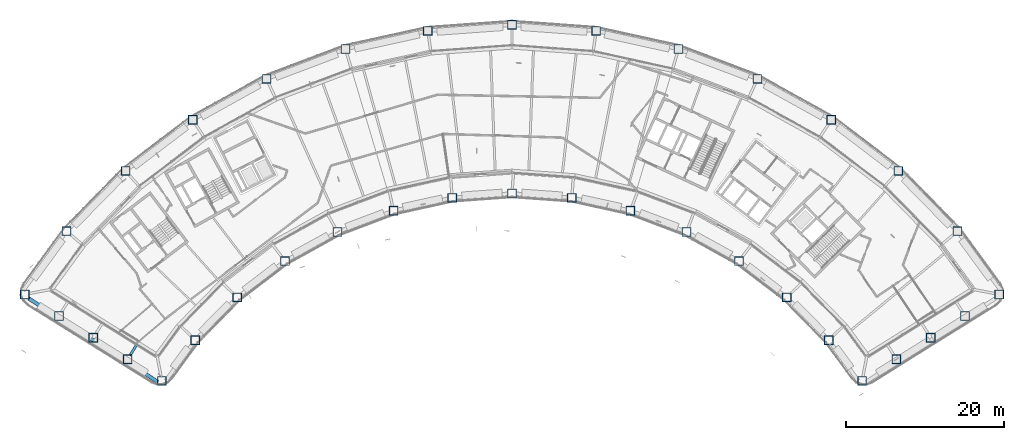
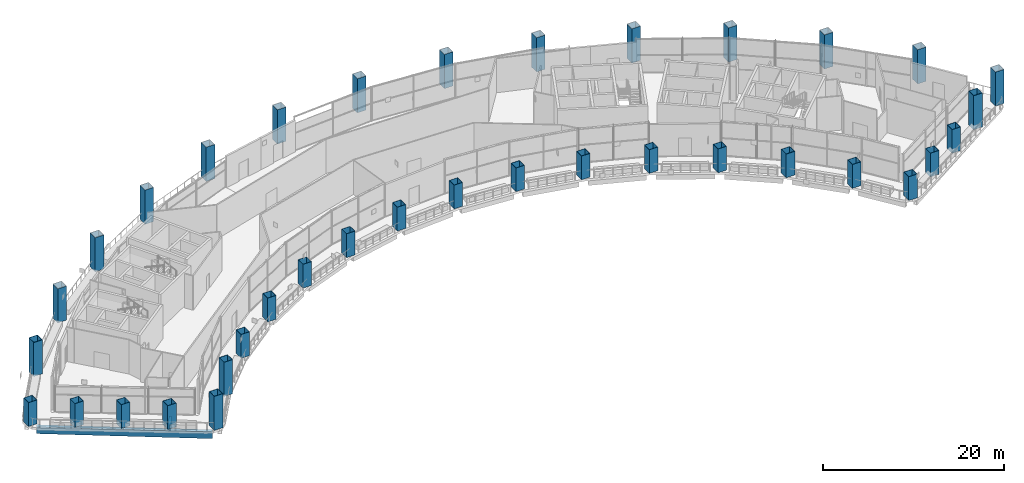
# One storey, part 1 of 28: 36 columns, 2 beams.
"""IFC4 building model written with IfcOpenShell, lengths in metres."""

from ifc_helpers import new_model, si_unit, direction, frame, origin, origin_2d, place, context, subcontext, project, spatial, hollow_rectangle, i_section, extrude, material, material_profile, profile_set, type_object, element, save


model = new_model("IFC4")

# Units and contexts
model_context = context("Model", 3, precision=1e-05, world=origin(), true_north=direction((0.0, 1.0)))
body_context = subcontext(model_context, "Body", "Model", "MODEL_VIEW")
ifc_project = project(units=[si_unit("LENGTHUNIT", "METRE"), si_unit("AREAUNIT", "SQUARE_METRE"), si_unit("VOLUMEUNIT", "CUBIC_METRE"), si_unit("PLANEANGLEUNIT", "RADIAN"), si_unit("MASSUNIT", "GRAM", prefix="KILO")], contexts=[model_context])

# Site, building, storey
site_placement = place(None, origin())
site = spatial("IfcSite", under=ifc_project, at=site_placement, CompositionType="ELEMENT")
building_placement = place(site_placement, origin())
building = spatial("IfcBuilding", under=site, at=building_placement, Name="Tuul Gate Civic Tower", CompositionType="ELEMENT")
storey_placement = place(building_placement, frame((0.0, 0.0, 128.699951171875)))
storey = spatial("IfcBuildingStorey", under=building, at=storey_placement, Name="Sky garden level 1", CompositionType="ELEMENT", Elevation=128.699951171875)

# Columns
ifc_material_1 = material(Name="Steel S355", Category="steel")
ifc_material_profile_1 = material_profile(ifc_material_1, hollow_rectangle(XDim=1.10009765625, YDim=1.10009765625, WallThickness=0.035888671875, at=origin_2d()), Name="BOX1100x1100x36")
ifc_profile_set_1 = profile_set([ifc_material_profile_1], Name="Steel S355")
column_type = type_object("IfcColumnType", Name="STR-EXO COLUMN-BOX1100x1100x36", PredefinedType="COLUMN", material=ifc_profile_set_1)
for number, where, z_axis, x_axis, name in (
    (1, (71.5, -20.44189453125, 0.0), (0.0, 0.0, 1.0), (1.0, 0.0, 0.0), "Column"),
    (2, (66.200927734375, -12.428955078125, 0.0), (0.0, 0.0, 1.0), (1.0, 0.0, 0.0), "Column"),
    (3, (58.72607421875, -4.803955078125, 0.0), (0.0, 0.0, 1.0), (1.0, 0.0, 0.0), "Column"),
    (4, (50.23095703125, 1.6640625, 0.0), (0.0, 0.0, 1.0), (1.0, 0.0, 0.0), "Column"),
    (5, (40.89306640625, 6.840087890625, 0.0), (0.0, 0.0, 1.0), (1.0, 0.0, 0.0), "Column"),
    (6, (30.905029296875, 10.616943359375, 0.0), (0.0, 0.0, 1.0), (1.0, 0.0, 0.0), "Column"),
    (7, (20.47802734375, 12.9150390625, 0.0), (0.0, 0.0, 1.0), (1.0, 0.0, 0.0), "Column"),
    (8, (9.8291015625, 13.68603515625, 0.0), (0.0, 0.0, 1.0), (1.0, 0.0, 0.0), "Column"),
    (9, (-0.821044921875, 12.9150390625, 0.0), (0.0, 0.0, 1.0), (1.0, 0.0, 0.0), "Column"),
    (10, (-11.248046875, 10.616943359375, 0.0), (0.0, 0.0, 1.0), (1.0, 0.0, 0.0), "Column"),
    (11, (-21.235107421875, 6.840087890625, 0.0), (0.0, 0.0, 1.0), (1.0, 0.0, 0.0), "Column"),
    (12, (-30.573974609375, 1.6640625, 0.0), (0.0, 0.0, 1.0), (1.0, 0.0, 0.0), "Column"),
    (13, (-39.069091796875, -4.803955078125, 0.0), (0.0, 0.0, 1.0), (1.0, 0.0, 0.0), "Column"),
    (14, (-46.54296875, -12.428955078125, 0.0), (0.0, 0.0, 1.0), (1.0, 0.0, 0.0), "Column"),
):
    element("IfcColumn", number, at=place(storey_placement, frame(where, z_axis=z_axis, x_axis=x_axis)), inside=storey, type_object=column_type, Name=name, PredefinedType="COLUMN", context=body_context, shape_type="SweptSolid", body=[
        extrude(hollow_rectangle(XDim=1.10009765625, YDim=1.10009765625, WallThickness=0.035888671875, at=origin_2d()), origin(), (0.0, 0.0, 1.0), 4.60009765625),
    ])
for number, where, z_axis, x_axis, name in (
    (15, (-51.842041015625, -20.44189453125, 0.0), (0.0, 0.0, 1.0), (1.0, 0.0, 0.0), "Column"),
    (16, (-47.5, -23.176025390625, 0.0), (0.0, 0.0, 1.0), (1.0, 0.0, 0.0), "Column"),
    (17, (-43.156982421875, -25.910888671875, 0.0), (0.0, 0.0, 1.0), (1.0, 0.0, 0.0), "Column"),
    (18, (-38.81494140625, -28.64599609375, 0.0), (0.0, 0.0, 1.0), (1.0, 0.0, 0.0), "Column"),
):
    element("IfcColumn", number, at=place(storey_placement, frame(where, z_axis=z_axis, x_axis=x_axis)), inside=storey, type_object=column_type, Name=name, PredefinedType="COLUMN", context=body_context, shape_type="SweptSolid", body=[
        extrude(hollow_rectangle(XDim=1.10009765625, YDim=1.10009765625, WallThickness=0.035888671875, at=origin_2d()), origin(), (0.0, 0.0, 1.0), 3.199951171875),
    ])
for number, where, z_axis, x_axis, name in (
    (19, (-34.471923828125, -31.3798828125, 0.0), (0.0, 0.0, 1.0), (1.0, 0.0, 0.0), "Column"),
    (20, (-30.251953125, -26.238037109375, 0.0), (0.0, 0.0, 1.0), (1.0, 0.0, 0.0), "Column"),
):
    element("IfcColumn", number, at=place(storey_placement, frame(where, z_axis=z_axis, x_axis=x_axis)), inside=storey, type_object=column_type, Name=name, PredefinedType="COLUMN", context=body_context, shape_type="SweptSolid", body=[
        extrude(hollow_rectangle(XDim=1.10009765625, YDim=1.10009765625, WallThickness=0.035888671875, at=origin_2d()), origin(), (0.0, 0.0, 1.0), 4.60009765625),
    ])
for number, where, z_axis, x_axis, name in (
    (21, (-24.93798828125, -20.81689453125, 0.0), (0.0, 0.0, 1.0), (1.0, 0.0, 0.0), "Column"),
    (22, (-18.89794921875, -16.218017578125, 0.0), (0.0, 0.0, 1.0), (1.0, 0.0, 0.0), "Column"),
    (23, (-12.258056640625, -12.537109375, 0.0), (0.0, 0.0, 1.0), (1.0, 0.0, 0.0), "Column"),
    (24, (-5.156982421875, -9.85205078125, 0.0), (0.0, 0.0, 1.0), (1.0, 0.0, 0.0), "Column"),
    (25, (2.257080078125, -8.218017578125, 0.0), (0.0, 0.0, 1.0), (1.0, 0.0, 0.0), "Column"),
    (26, (9.8291015625, -7.6689453125, 0.0), (0.0, 0.0, 1.0), (1.0, 0.0, 0.0), "Column"),
    (27, (17.40087890625, -8.218017578125, 0.0), (0.0, 0.0, 1.0), (1.0, 0.0, 0.0), "Column"),
    (28, (24.81494140625, -9.85205078125, 0.0), (0.0, 0.0, 1.0), (1.0, 0.0, 0.0), "Column"),
    (29, (31.9150390625, -12.537109375, 0.0), (0.0, 0.0, 1.0), (1.0, 0.0, 0.0), "Column"),
    (30, (38.554931640625, -16.218017578125, 0.0), (0.0, 0.0, 1.0), (1.0, 0.0, 0.0), "Column"),
    (31, (44.595947265625, -20.81689453125, 0.0), (0.0, 0.0, 1.0), (1.0, 0.0, 0.0), "Column"),
    (32, (49.909912109375, -26.238037109375, 0.0), (0.0, 0.0, 1.0), (1.0, 0.0, 0.0), "Column"),
    (33, (54.1298828125, -31.3798828125, 0.0), (0.0, 0.0, 1.0), (1.0, 0.0, 0.0), "Column"),
    (34, (58.471923828125, -28.64599609375, 0.0), (0.0, 0.0, 1.0), (1.0, 0.0, 0.0), "Column"),
    (35, (62.81494140625, -25.910888671875, 0.0), (0.0, 0.0, 1.0), (1.0, 0.0, 0.0), "Column"),
):
    element("IfcColumn", number, at=place(storey_placement, frame(where, z_axis=z_axis, x_axis=x_axis)), inside=storey, type_object=column_type, Name=name, PredefinedType="COLUMN", context=body_context, shape_type="SweptSolid", body=[
        extrude(hollow_rectangle(XDim=1.10009765625, YDim=1.10009765625, WallThickness=0.035888671875, at=origin_2d()), origin(), (0.0, 0.0, 1.0), 3.199951171875),
    ])
column_placement = place(storey_placement, frame((67.156982421875, -23.176025390625, 0.0), z_axis=(0.0, 0.0, 1.0), x_axis=(1.0, 0.0, 0.0)))
element("IfcColumn", 36, at=column_placement, inside=storey, type_object=column_type, Name="Column", PredefinedType="COLUMN", context=body_context, shape_type="SweptSolid", body=[
    extrude(hollow_rectangle(XDim=1.10009765625, YDim=1.10009765625, WallThickness=0.035888671875, at=origin_2d()), origin(), (0.0, 0.0, 1.0), 4.60009765625),
])

# Beams
ifc_material_2 = material(Name="Steel S355", Category="steel")
ifc_material_profile_2 = material_profile(ifc_material_2, i_section(OverallWidth=0.300048828125, OverallDepth=0.800048828125, WebThickness=0.013916015625, FlangeThickness=0.02490234375, at=origin_2d()), Name="PG800x300x14x25")
ifc_profile_set_2 = profile_set([ifc_material_profile_2], Name="Steel S355")
beam_type_1 = type_object("IfcBeamType", Name="STR-FLOOR BEAM-PG800x300x14x25", PredefinedType="BEAM", material=ifc_profile_set_2)
beam_1_placement = place(storey_placement, frame((-38.5234375, -28.1796875, -0.699951171875), z_axis=(0.52984471702, 0.84809467387, 0.0), x_axis=(-0.84809467387, 0.52984471702, 0.0)))
element("IfcBeam", 37, at=beam_1_placement, inside=storey, type_object=beam_type_1, Name="Terrace beam", PredefinedType="BEAM", context=body_context, shape_type="SweptSolid", body=[
    extrude(i_section(OverallWidth=0.300048828125, OverallDepth=0.800048828125, WebThickness=0.013916015625, FlangeThickness=0.02490234375, at=origin_2d()), origin(), (0.0, 0.0, 1.0), 1.707763671875),
])
ifc_material_3 = material(Name="Steel S355", Category="steel")
ifc_material_profile_3 = material_profile(ifc_material_3, hollow_rectangle(XDim=0.449951171875, YDim=0.89990234375, WallThickness=0.02490234375, at=origin_2d()), Name="BOX900x450x25")
ifc_profile_set_3 = profile_set([ifc_material_profile_3], Name="Steel S355")
beam_type_2 = type_object("IfcBeamType", Name="STR-SPANDREL BEAM-BOX900x450x25", PredefinedType="BEAM", material=ifc_profile_set_3)
beam_2_placement = place(storey_placement, frame((-51.327392578125, -20.95654296875, -0.75), z_axis=(0.840012814789, -0.542566559041, 0.0), x_axis=(0.542566559041, 0.840012814789, 0.0)))
element("IfcBeam", 38, at=beam_2_placement, inside=storey, type_object=beam_type_2, Name="Terrace edge beam", PredefinedType="BEAM", context=body_context, shape_type="SweptSolid", body=[
    extrude(hollow_rectangle(XDim=0.449951171875, YDim=0.89990234375, WallThickness=0.02490234375, at=origin_2d()), origin(), (0.0, 0.0, 1.0), 19.4609375),
])

save(model, "model.ifc")
